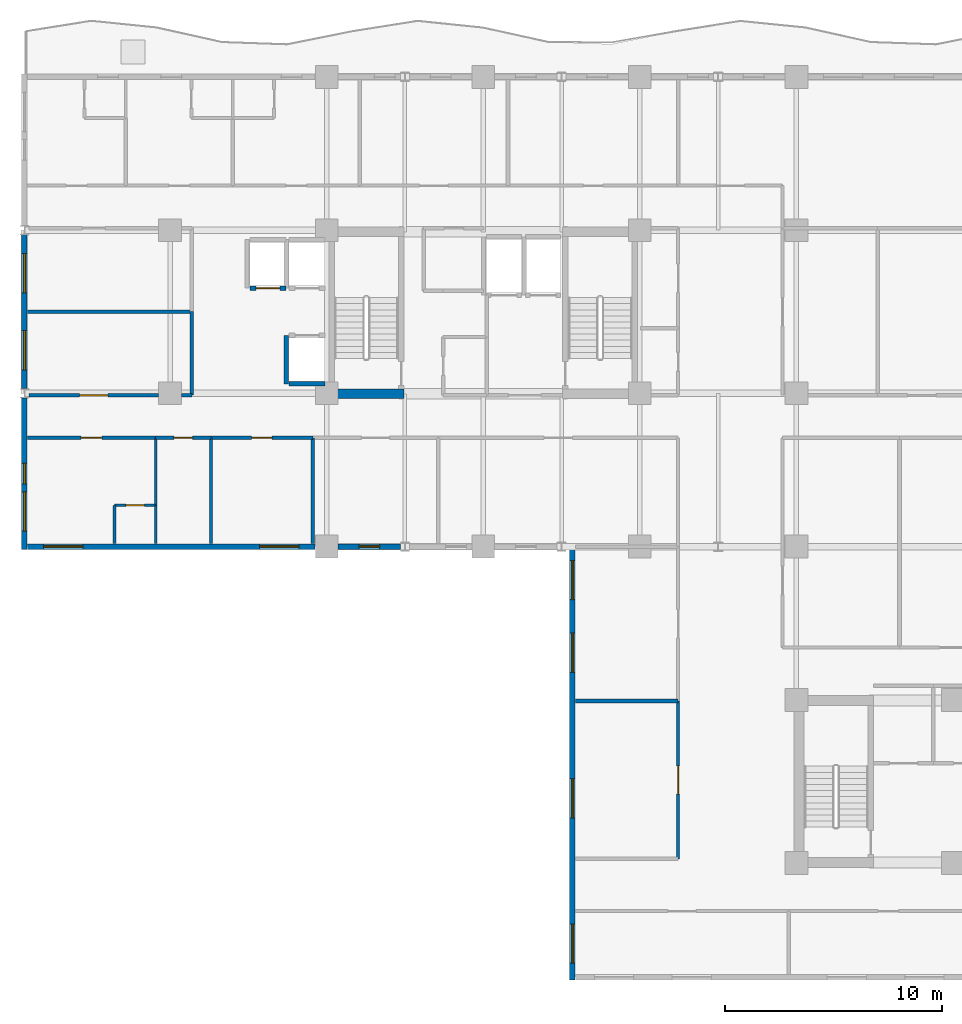
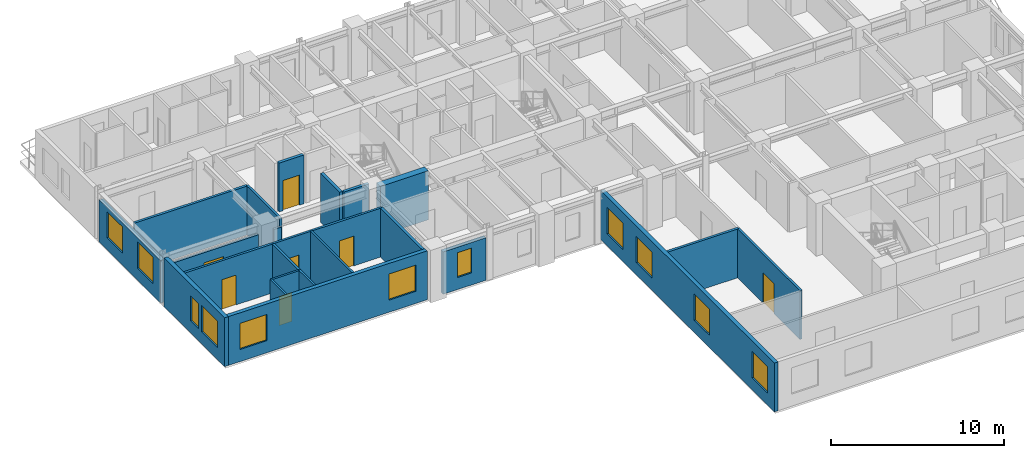
# One storey, part 4 of 13: 24 walls, 11 windows, 7 doors, 18 openings.
"""IFC4 building model written with IfcOpenShell, lengths in metres."""

from ifc_helpers import new_model, si_unit, direction, frame, frame_2d, origin, place, context, subcontext, project, spatial, rectangle, extrude, material, layer, layer_set, type_object, element, fill, save


model = new_model("IFC4")

# Units and contexts
model_context = context("Model", 3, precision=1e-05, world=origin(), true_north=direction((0.0, 1.0)))
body_context = subcontext(model_context, "Body", "Model", "MODEL_VIEW")
ifc_project = project(units=[si_unit("LENGTHUNIT", "METRE"), si_unit("AREAUNIT", "SQUARE_METRE"), si_unit("VOLUMEUNIT", "CUBIC_METRE"), si_unit("PLANEANGLEUNIT", "RADIAN"), si_unit("MASSUNIT", "GRAM", prefix="KILO")], contexts=[model_context])

# Site, building, storey
site_placement = place(None, origin())
site = spatial("IfcSite", under=ifc_project, at=site_placement, CompositionType="ELEMENT")
building_placement = place(site_placement, origin())
building = spatial("IfcBuilding", under=site, at=building_placement, Name="Kaliganga Portal Commons", CompositionType="ELEMENT")
storey_placement = place(building_placement, frame((0.0, 0.0, 162.39990234375)))
storey = spatial("IfcBuildingStorey", under=building, at=storey_placement, Name="L41", CompositionType="ELEMENT", Elevation=162.39990234375)

# Wall
ifc_material_1 = material(Name="Concrete C60/75", Category="concrete")
ifc_layer_1 = layer(ifc_material_1, 0.449951171875)
ifc_layer_set_1 = layer_set([ifc_layer_1], Name="Concrete C60/75")
wall_type_1 = type_object("IfcWallType", Name="WL-CORE-450", PredefinedType="SHEAR", material=ifc_layer_set_1)
wall_1_placement = place(storey_placement, frame((14.75, 28.625, 0.0), z_axis=(0.0, 0.0, 1.0), x_axis=(1.0, 0.0, 0.0)))
element("IfcWall", 1, at=wall_1_placement, inside=storey, type_object=wall_type_1, Name="Core A S-West Shear Wall L41", PredefinedType="SHEAR", context=body_context, shape_type="SweptSolid", body=[
    extrude(rectangle(XDim=3.199951171875, YDim=0.449951171875, at=frame_2d((1.60009765625, 0.0))), origin(), (0.0, 0.0, 1.0), 3.460205078125),
])

# Wall, openings, windows
ifc_material_2 = material(Name="Insulated Aluminium-Clad Spandrel Assembly", Category="aluminium")
ifc_layer_2 = layer(ifc_material_2, 0.260009765625)
ifc_layer_set_2 = layer_set([ifc_layer_2], Name="Insulated Aluminium-Clad Spandrel Assembly")
wall_type_2 = type_object("IfcWallType", Name="WL-EXT-SPAND-260", PredefinedType="STANDARD", material=ifc_layer_set_2)
wall_2_placement = place(storey_placement, frame((0.5, 28.85791015625, 0.0), z_axis=(0.0, 0.0, 1.0), x_axis=(0.0, 1.0, 0.0)))
wall_2 = element("IfcWall", 2, at=wall_2_placement, inside=storey, type_object=wall_type_2, Name="Exterior Envelope Wall L41 P1-E03-S2", PredefinedType="STANDARD", context=body_context, shape_type="SweptSolid", body=[
    extrude(rectangle(XDim=7.083984375, YDim=0.260009765625, at=frame_2d((3.5419921875, 0.0))), origin(), (0.0, 0.0, 1.0), 2.989990234375),
])
opening_1_placement = place(wall_2_placement, frame((0.87109375, 0.0, 0.85009765625)))
opening_1 = element("IfcOpeningElement", 3, at=opening_1_placement, cuts=wall_2, Name="Opening W-01", PredefinedType="OPENING", context=body_context, shape_type="SweptSolid", body=[
    extrude(rectangle(XDim=1.800048828125, YDim=1.85009765625, at=frame_2d((0.89990234375, 0.925048828125))), frame((0.0, 0.14013671875, 0.0), z_axis=(0.0, -1.0, 0.0), x_axis=(1.0, 0.0, 0.0)), (0.0, 0.0, 1.0), 0.280029296875),
])
opening_2_placement = place(wall_2_placement, frame((4.4130859375, 0.0, 0.85009765625)))
opening_2 = element("IfcOpeningElement", 4, at=opening_2_placement, cuts=wall_2, Name="Opening W-01", PredefinedType="OPENING", context=body_context, shape_type="SweptSolid", body=[
    extrude(rectangle(XDim=1.800048828125, YDim=1.85009765625, at=frame_2d((0.89990234375, 0.925048828125))), frame((0.0, 0.14013671875, 0.0), z_axis=(0.0, -1.0, 0.0), x_axis=(1.0, 0.0, 0.0)), (0.0, 0.0, 1.0), 0.280029296875),
])
ifc_material_3 = material(Name="Thermally Broken Aluminium and Low-E Double Glazing", Category="aluminium")
window_type_1 = type_object("IfcWindowType", Name="WIN-STD-1800", PartitioningType="DOUBLE_PANEL_VERTICAL", PredefinedType="WINDOW", material=ifc_material_3)
window_1_placement = place(opening_1_placement, origin())
window_1 = element("IfcWindow", 5, at=window_1_placement, inside=storey, type_object=window_type_1, Name="Facade Window L41-P1E03S2-00", OverallHeight=1.85009765625, OverallWidth=1.800048828125, PartitioningType="SINGLE_PANEL", PredefinedType="WINDOW", context=body_context, shape_type="SweptSolid", body=[
    extrude(rectangle(XDim=1.800048828125, YDim=1.85009765625, at=frame_2d((0.89990234375, 0.925048828125))), frame((0.0, 0.030029296875, 0.0), z_axis=(0.0, -1.0, 0.0), x_axis=(1.0, 0.0, 0.0)), (0.0, 0.0, 1.0), 0.06005859375),
])
fill(opening_1, window_1)
window_2_placement = place(opening_2_placement, origin())
window_2 = element("IfcWindow", 6, at=window_2_placement, inside=storey, type_object=window_type_1, Name="Facade Window L41-P1E03S2-01", OverallHeight=1.85009765625, OverallWidth=1.800048828125, PartitioningType="SINGLE_PANEL", PredefinedType="WINDOW", context=body_context, shape_type="SweptSolid", body=[
    extrude(rectangle(XDim=1.800048828125, YDim=1.85009765625, at=frame_2d((0.89990234375, 0.925048828125))), frame((0.0, 0.030029296875, 0.0), z_axis=(0.0, -1.0, 0.0), x_axis=(1.0, 0.0, 0.0)), (0.0, 0.0, 1.0), 0.06005859375),
])
fill(opening_2, window_2)

wall_3_placement = place(storey_placement, frame((0.5, 21.469970703125, 0.0), z_axis=(0.0, 0.0, 1.0), x_axis=(0.0, 1.0, 0.0)))
wall_3 = element("IfcWall", 7, at=wall_3_placement, inside=storey, type_object=wall_type_2, Name="Exterior Envelope Wall L41 P1-E03-S3", PredefinedType="STANDARD", context=body_context, shape_type="SweptSolid", body=[
    extrude(rectangle(XDim=6.971923828125, YDim=0.260009765625, at=frame_2d((3.48583984375, 0.0))), origin(), (0.0, 0.0, 1.0), 3.440185546875),
])
opening_3_placement = place(wall_3_placement, frame((0.843017578125, 0.0, 0.85009765625)))
opening_3 = element("IfcOpeningElement", 8, at=opening_3_placement, cuts=wall_3, Name="Opening W-01", PredefinedType="OPENING", context=body_context, shape_type="SweptSolid", body=[
    extrude(rectangle(XDim=1.800048828125, YDim=1.85009765625, at=frame_2d((0.89990234375, 0.925048828125))), frame((0.0, 0.14013671875, 0.0), z_axis=(0.0, -1.0, 0.0), x_axis=(1.0, 0.0, 0.0)), (0.0, 0.0, 1.0), 0.280029296875),
])
opening_4_placement = place(wall_3_placement, frame((3.010986328125, 0.0, 0.85009765625)))
opening_4 = element("IfcOpeningElement", 9, at=opening_4_placement, cuts=wall_3, Name="Opening W-04", PredefinedType="OPENING", context=body_context, shape_type="SweptSolid", body=[
    extrude(rectangle(XDim=0.949951171875, YDim=1.75, at=frame_2d((0.47509765625, 0.875))), frame((0.0, 0.14013671875, 0.0), z_axis=(0.0, -1.0, 0.0), x_axis=(1.0, 0.0, 0.0)), (0.0, 0.0, 1.0), 0.280029296875),
])
window_type_2 = type_object("IfcWindowType", Name="WIN-NARROW-950", PartitioningType="SINGLE_PANEL", PredefinedType="WINDOW", material=ifc_material_3)
window_3_placement = place(opening_4_placement, origin())
window_3 = element("IfcWindow", 10, at=window_3_placement, inside=storey, type_object=window_type_2, Name="Facade Window L41-P1E03S3-N0", OverallHeight=1.75, OverallWidth=0.949951171875, PartitioningType="SINGLE_PANEL", PredefinedType="WINDOW", context=body_context, shape_type="SweptSolid", body=[
    extrude(rectangle(XDim=0.949951171875, YDim=1.75, at=frame_2d((0.47509765625, 0.875))), frame((0.0, 0.030029296875, 0.0), z_axis=(0.0, -1.0, 0.0), x_axis=(1.0, 0.0, 0.0)), (0.0, 0.0, 1.0), 0.06005859375),
])
fill(opening_4, window_3)
window_4_placement = place(opening_3_placement, origin())
window_4 = element("IfcWindow", 11, at=window_4_placement, inside=storey, type_object=window_type_1, Name="Facade Window L41-P1E03S3-00", OverallHeight=1.85009765625, OverallWidth=1.800048828125, PartitioningType="SINGLE_PANEL", PredefinedType="WINDOW", context=body_context, shape_type="SweptSolid", body=[
    extrude(rectangle(XDim=1.800048828125, YDim=1.85009765625, at=frame_2d((0.89990234375, 0.925048828125))), frame((0.0, 0.030029296875, 0.0), z_axis=(0.0, -1.0, 0.0), x_axis=(1.0, 0.0, 0.0)), (0.0, 0.0, 1.0), 0.06005859375),
])
fill(opening_3, window_4)

wall_4_placement = place(storey_placement, frame((13.8740234375, 21.60009765625, 0.0), z_axis=(0.0, 0.0, 1.0), x_axis=(-1.0, 0.0, 0.0)))
wall_4 = element("IfcWall", 12, at=wall_4_placement, inside=storey, type_object=wall_type_2, Name="Exterior Envelope Wall L41 P1-E04-S1", PredefinedType="STANDARD", context=body_context, shape_type="SweptSolid", body=[
    extrude(rectangle(XDim=13.239013671875, YDim=0.260009765625, at=frame_2d((6.61962890625, 0.0))), origin(), (0.0, 0.0, 1.0), 3.440185546875),
])
opening_5_placement = place(wall_4_placement, frame((0.7548828125, 0.0, 0.85009765625)))
opening_5 = element("IfcOpeningElement", 13, at=opening_5_placement, cuts=wall_4, Name="Opening W-01", PredefinedType="OPENING", context=body_context, shape_type="SweptSolid", body=[
    extrude(rectangle(XDim=1.800048828125, YDim=1.85009765625, at=frame_2d((0.89990234375, 0.925048828125))), frame((0.0, 0.14013671875, 0.0), z_axis=(0.0, -1.0, 0.0), x_axis=(1.0, 0.0, 0.0)), (0.0, 0.0, 1.0), 0.280029296875),
])
opening_6_placement = place(wall_4_placement, frame((10.68408203125, 0.0, 0.85009765625)))
opening_6 = element("IfcOpeningElement", 14, at=opening_6_placement, cuts=wall_4, Name="Opening W-01", PredefinedType="OPENING", context=body_context, shape_type="SweptSolid", body=[
    extrude(rectangle(XDim=1.800048828125, YDim=1.85009765625, at=frame_2d((0.89990234375, 0.925048828125))), frame((0.0, 0.14013671875, 0.0), z_axis=(0.0, -1.0, 0.0), x_axis=(1.0, 0.0, 0.0)), (0.0, 0.0, 1.0), 0.280029296875),
])
window_5_placement = place(opening_5_placement, origin())
window_5 = element("IfcWindow", 15, at=window_5_placement, inside=storey, type_object=window_type_1, Name="Facade Window L41-P1E04S1-00", OverallHeight=1.85009765625, OverallWidth=1.800048828125, PartitioningType="SINGLE_PANEL", PredefinedType="WINDOW", context=body_context, shape_type="SweptSolid", body=[
    extrude(rectangle(XDim=1.800048828125, YDim=1.85009765625, at=frame_2d((0.89990234375, 0.925048828125))), frame((0.0, 0.030029296875, 0.0), z_axis=(0.0, -1.0, 0.0), x_axis=(1.0, 0.0, 0.0)), (0.0, 0.0, 1.0), 0.06005859375),
])
fill(opening_5, window_5)
window_6_placement = place(opening_6_placement, origin())
window_6 = element("IfcWindow", 16, at=window_6_placement, inside=storey, type_object=window_type_1, Name="Facade Window L41-P1E04S1-03", OverallHeight=1.85009765625, OverallWidth=1.800048828125, PartitioningType="SINGLE_PANEL", PredefinedType="WINDOW", context=body_context, shape_type="SweptSolid", body=[
    extrude(rectangle(XDim=1.800048828125, YDim=1.85009765625, at=frame_2d((0.89990234375, 0.925048828125))), frame((0.0, 0.030029296875, 0.0), z_axis=(0.0, -1.0, 0.0), x_axis=(1.0, 0.0, 0.0)), (0.0, 0.0, 1.0), 0.06005859375),
])
fill(opening_6, window_6)

# Wall, opening, window
wall_5_placement = place(storey_placement, frame((17.797119140625, 21.60009765625, 0.0), z_axis=(0.0, 0.0, 1.0), x_axis=(-1.0, 0.0, 0.0)))
wall_5 = element("IfcWall", 17, at=wall_5_placement, inside=storey, type_object=wall_type_2, Name="Exterior Envelope Wall L41 P1-E04-S2", PredefinedType="STANDARD", context=body_context, shape_type="SweptSolid", body=[
    extrude(rectangle(XDim=2.87109375, YDim=0.260009765625, at=frame_2d((1.435546875, 0.0))), origin(), (0.0, 0.0, 1.0), 2.989990234375),
])
opening_7_placement = place(wall_5_placement, frame((0.96044921875, 0.0, 0.85009765625)))
opening_7 = element("IfcOpeningElement", 18, at=opening_7_placement, cuts=wall_5, Name="Opening W-04", PredefinedType="OPENING", context=body_context, shape_type="SweptSolid", body=[
    extrude(rectangle(XDim=0.949951171875, YDim=1.75, at=frame_2d((0.47509765625, 0.875))), frame((0.0, 0.14013671875, 0.0), z_axis=(0.0, -1.0, 0.0), x_axis=(1.0, 0.0, 0.0)), (0.0, 0.0, 1.0), 0.280029296875),
])
window_7_placement = place(opening_7_placement, origin())
window_7 = element("IfcWindow", 19, at=window_7_placement, inside=storey, type_object=window_type_2, Name="Facade Window L41-P1E04S2-00", OverallHeight=1.75, OverallWidth=0.949951171875, PartitioningType="SINGLE_PANEL", PredefinedType="WINDOW", context=body_context, shape_type="SweptSolid", body=[
    extrude(rectangle(XDim=0.949951171875, YDim=1.75, at=frame_2d((0.47509765625, 0.875))), frame((0.0, 0.030029296875, 0.0), z_axis=(0.0, -1.0, 0.0), x_axis=(1.0, 0.0, 0.0)), (0.0, 0.0, 1.0), 0.06005859375),
])
fill(opening_7, window_7)

# Wall, openings, windows
wall_6_placement = place(storey_placement, frame((25.699951171875, 1.669921875, 0.0), z_axis=(0.0, 0.0, 1.0), x_axis=(0.0, 1.0, 0.0)))
wall_6 = element("IfcWall", 20, at=wall_6_placement, inside=storey, type_object=wall_type_2, Name="Exterior Envelope Wall L41 P1-E05-S1", PredefinedType="STANDARD", context=body_context, shape_type="SweptSolid", body=[
    extrude(rectangle(XDim=20.06005859375, YDim=0.260009765625, at=frame_2d((10.030029296875, 0.0))), origin(), (0.0, 0.0, 1.0), 3.440185546875),
])
opening_8_placement = place(wall_6_placement, frame((0.771728515625, 0.0, 0.85009765625)))
opening_8 = element("IfcOpeningElement", 21, at=opening_8_placement, cuts=wall_6, Name="Opening W-01", PredefinedType="OPENING", context=body_context, shape_type="SweptSolid", body=[
    extrude(rectangle(XDim=1.800048828125, YDim=1.85009765625, at=frame_2d((0.89990234375, 0.925048828125))), frame((0.0, 0.14013671875, 0.0), z_axis=(0.0, -1.0, 0.0), x_axis=(1.0, 0.0, 0.0)), (0.0, 0.0, 1.0), 0.280029296875),
])
opening_9_placement = place(wall_6_placement, frame((7.458251953125, 0.0, 0.85009765625)))
opening_9 = element("IfcOpeningElement", 22, at=opening_9_placement, cuts=wall_6, Name="Opening W-01", PredefinedType="OPENING", context=body_context, shape_type="SweptSolid", body=[
    extrude(rectangle(XDim=1.800048828125, YDim=1.85009765625, at=frame_2d((0.89990234375, 0.925048828125))), frame((0.0, 0.14013671875, 0.0), z_axis=(0.0, -1.0, 0.0), x_axis=(1.0, 0.0, 0.0)), (0.0, 0.0, 1.0), 0.280029296875),
])
opening_10_placement = place(wall_6_placement, frame((14.14501953125, 0.0, 0.85009765625)))
opening_10 = element("IfcOpeningElement", 23, at=opening_10_placement, cuts=wall_6, Name="Opening W-01", PredefinedType="OPENING", context=body_context, shape_type="SweptSolid", body=[
    extrude(rectangle(XDim=1.800048828125, YDim=1.85009765625, at=frame_2d((0.89990234375, 0.925048828125))), frame((0.0, 0.14013671875, 0.0), z_axis=(0.0, -1.0, 0.0), x_axis=(1.0, 0.0, 0.0)), (0.0, 0.0, 1.0), 0.280029296875),
])
opening_11_placement = place(wall_6_placement, frame((17.48828125, 0.0, 0.85009765625)))
opening_11 = element("IfcOpeningElement", 24, at=opening_11_placement, cuts=wall_6, Name="Opening W-01", PredefinedType="OPENING", context=body_context, shape_type="SweptSolid", body=[
    extrude(rectangle(XDim=1.800048828125, YDim=1.85009765625, at=frame_2d((0.89990234375, 0.925048828125))), frame((0.0, 0.14013671875, 0.0), z_axis=(0.0, -1.0, 0.0), x_axis=(1.0, 0.0, 0.0)), (0.0, 0.0, 1.0), 0.280029296875),
])
window_8_placement = place(opening_8_placement, origin())
window_8 = element("IfcWindow", 25, at=window_8_placement, inside=storey, type_object=window_type_1, Name="Facade Window L41-P1E05S1-00", OverallHeight=1.85009765625, OverallWidth=1.800048828125, PartitioningType="SINGLE_PANEL", PredefinedType="WINDOW", context=body_context, shape_type="SweptSolid", body=[
    extrude(rectangle(XDim=1.800048828125, YDim=1.85009765625, at=frame_2d((0.89990234375, 0.925048828125))), frame((0.0, 0.030029296875, 0.0), z_axis=(0.0, -1.0, 0.0), x_axis=(1.0, 0.0, 0.0)), (0.0, 0.0, 1.0), 0.06005859375),
])
fill(opening_8, window_8)
window_9_placement = place(opening_9_placement, origin())
window_9 = element("IfcWindow", 26, at=window_9_placement, inside=storey, type_object=window_type_1, Name="Facade Window L41-P1E05S1-02", OverallHeight=1.85009765625, OverallWidth=1.800048828125, PartitioningType="SINGLE_PANEL", PredefinedType="WINDOW", context=body_context, shape_type="SweptSolid", body=[
    extrude(rectangle(XDim=1.800048828125, YDim=1.85009765625, at=frame_2d((0.89990234375, 0.925048828125))), frame((0.0, 0.030029296875, 0.0), z_axis=(0.0, -1.0, 0.0), x_axis=(1.0, 0.0, 0.0)), (0.0, 0.0, 1.0), 0.06005859375),
])
fill(opening_9, window_9)
window_10_placement = place(opening_10_placement, origin())
window_10 = element("IfcWindow", 27, at=window_10_placement, inside=storey, type_object=window_type_1, Name="Facade Window L41-P1E05S1-04", OverallHeight=1.85009765625, OverallWidth=1.800048828125, PartitioningType="SINGLE_PANEL", PredefinedType="WINDOW", context=body_context, shape_type="SweptSolid", body=[
    extrude(rectangle(XDim=1.800048828125, YDim=1.85009765625, at=frame_2d((0.89990234375, 0.925048828125))), frame((0.0, 0.030029296875, 0.0), z_axis=(0.0, -1.0, 0.0), x_axis=(1.0, 0.0, 0.0)), (0.0, 0.0, 1.0), 0.06005859375),
])
fill(opening_10, window_10)
window_11_placement = place(opening_11_placement, origin())
window_11 = element("IfcWindow", 28, at=window_11_placement, inside=storey, type_object=window_type_1, Name="Facade Window L41-P1E05S1-05", OverallHeight=1.85009765625, OverallWidth=1.800048828125, PartitioningType="SINGLE_PANEL", PredefinedType="WINDOW", context=body_context, shape_type="SweptSolid", body=[
    extrude(rectangle(XDim=1.800048828125, YDim=1.85009765625, at=frame_2d((0.89990234375, 0.925048828125))), frame((0.0, 0.030029296875, 0.0), z_axis=(0.0, -1.0, 0.0), x_axis=(1.0, 0.0, 0.0)), (0.0, 0.0, 1.0), 0.06005859375),
])
fill(opening_11, window_11)

# Wall, opening, door
ifc_material_4 = material(Name="Fire-Rated Gypsum Board on Steel Stud", Category="steel")
ifc_layer_3 = layer(ifc_material_4, 0.14990234375)
ifc_layer_set_3 = layer_set([ifc_layer_3], Name="Fire-Rated Gypsum Board on Steel Stud")
wall_type_3 = type_object("IfcWallType", Name="WL-PART-CORR-150", PredefinedType="PARTITIONING", material=ifc_layer_set_3)
wall_7_placement = place(storey_placement, frame((0.701904296875, 28.56005859375, 0.0), z_axis=(0.0, 0.0, 1.0), x_axis=(1.0, 0.0, 0.0)))
wall_7 = element("IfcWall", 29, at=wall_7_placement, inside=storey, type_object=wall_type_3, Name="Interior Partition L41-018", PredefinedType="PARTITIONING", context=body_context, shape_type="SweptSolid", body=[
    extrude(rectangle(XDim=5.97314453125, YDim=0.14990234375, at=frame_2d((2.986572265625, 0.0))), origin(), (0.0, 0.0, 1.0), 2.840087890625),
])
opening_12_placement = place(wall_7_placement, frame((2.33642578125, 0.0, 0.0)))
opening_12 = element("IfcOpeningElement", 30, at=opening_12_placement, cuts=wall_7, Name="Opening RD-03", PredefinedType="OPENING", context=body_context, shape_type="SweptSolid", body=[
    extrude(rectangle(XDim=1.300048828125, YDim=2.1201171875, at=frame_2d((0.64990234375, 1.06005859375))), frame((0.0, 0.0849609375, 0.0), z_axis=(0.0, -1.0, 0.0), x_axis=(1.0, 0.0, 0.0)), (0.0, 0.0, 1.0), 0.169921875),
])
ifc_material_5 = material(Name="Glazed Timber Seminar Vision Door", Category="wood")
door_type_1 = type_object("IfcDoorType", Name="DR-STUDY-1300", OperationType="DOUBLE_DOOR_SINGLE_SWING", PredefinedType="DOOR", material=ifc_material_5)
door_1_placement = place(opening_12_placement, origin())
door_1 = element("IfcDoor", 31, at=door_1_placement, inside=storey, type_object=door_type_1, Name="Interior Door L41-AW01", OperationType="DOUBLE_DOOR_SINGLE_SWING", OverallHeight=2.1201171875, OverallWidth=1.300048828125, PredefinedType="DOOR", context=body_context, shape_type="SweptSolid", body=[
    extrude(rectangle(XDim=1.300048828125, YDim=2.1201171875, at=frame_2d((0.64990234375, 1.06005859375))), frame((0.0, 0.02490234375, 0.0), z_axis=(0.0, -1.0, 0.0), x_axis=(1.0, 0.0, 0.0)), (0.0, 0.0, 1.0), 0.050048828125),
])
fill(opening_12, door_1)

# Wall
wall_8_placement = place(storey_placement, frame((7.72509765625, 28.56005859375, 0.0), z_axis=(0.0, 0.0, 1.0), x_axis=(1.0, 0.0, 0.0)))
element("IfcWall", 32, at=wall_8_placement, inside=storey, type_object=wall_type_3, Name="Interior Partition L41-019", PredefinedType="PARTITIONING", context=body_context, shape_type="SweptSolid", body=[
    extrude(rectangle(XDim=0.474853515625, YDim=0.14990234375, at=frame_2d((0.2373046875, 0.0))), origin(), (0.0, 0.0, 1.0), 2.840087890625),
])

# Wall, opening, door
wall_9_placement = place(storey_placement, frame((30.56005859375, 7.239990234375, 0.0), z_axis=(0.0, 0.0, 1.0), x_axis=(0.0, 1.0, 0.0)))
wall_9 = element("IfcWall", 33, at=wall_9_placement, inside=storey, type_object=wall_type_3, Name="Interior Partition L41-023", PredefinedType="PARTITIONING", context=body_context, shape_type="SweptSolid", body=[
    extrude(rectangle(XDim=7.260009765625, YDim=0.14990234375, at=frame_2d((3.6298828125, 0.0))), origin(), (0.0, 0.0, 1.0), 3.440185546875),
])
opening_13_placement = place(wall_9_placement, frame((2.97998046875, 0.0, 0.0)))
opening_13 = element("IfcOpeningElement", 34, at=opening_13_placement, cuts=wall_9, Name="Opening RD-03", PredefinedType="OPENING", context=body_context, shape_type="SweptSolid", body=[
    extrude(rectangle(XDim=1.300048828125, YDim=2.1201171875, at=frame_2d((0.64990234375, 1.06005859375))), frame((0.0, 0.0849609375, 0.0), z_axis=(0.0, -1.0, 0.0), x_axis=(1.0, 0.0, 0.0)), (0.0, 0.0, 1.0), 0.169921875),
])
door_2_placement = place(opening_13_placement, origin())
door_2 = element("IfcDoor", 35, at=door_2_placement, inside=storey, type_object=door_type_1, Name="Interior Door L41-KW01", OperationType="DOUBLE_DOOR_SINGLE_SWING", OverallHeight=2.1201171875, OverallWidth=1.300048828125, PredefinedType="DOOR", context=body_context, shape_type="SweptSolid", body=[
    extrude(rectangle(XDim=1.300048828125, YDim=2.1201171875, at=frame_2d((0.64990234375, 1.06005859375))), frame((0.0, 0.02490234375, 0.0), z_axis=(0.0, -1.0, 0.0), x_axis=(1.0, 0.0, 0.0)), (0.0, 0.0, 1.0), 0.050048828125),
])
fill(opening_13, door_2)

wall_10_placement = place(storey_placement, frame((0.632080078125, 26.60009765625, 0.0), z_axis=(0.0, 0.0, 1.0), x_axis=(1.0, 0.0, 0.0)))
wall_10 = element("IfcWall", 36, at=wall_10_placement, inside=storey, type_object=wall_type_3, Name="Interior Partition L41-028", PredefinedType="PARTITIONING", context=body_context, shape_type="SweptSolid", body=[
    extrude(rectangle(XDim=5.907958984375, YDim=0.14990234375, at=frame_2d((2.9541015625, 0.0))), origin(), (0.0, 0.0, 1.0), 3.440185546875),
])
opening_14_placement = place(wall_10_placement, frame((2.47900390625, 0.0, 0.0)))
opening_14 = element("IfcOpeningElement", 37, at=opening_14_placement, cuts=wall_10, Name="Opening UD-01", PredefinedType="OPENING", context=body_context, shape_type="SweptSolid", body=[
    extrude(rectangle(XDim=0.949951171875, YDim=2.10009765625, at=frame_2d((0.47509765625, 1.050048828125))), frame((0.0, 0.0849609375, 0.0), z_axis=(0.0, -1.0, 0.0), x_axis=(1.0, 0.0, 0.0)), (0.0, 0.0, 1.0), 0.169921875),
])
ifc_material_6 = material(Name="Solid-Core Timber Acoustic Fire Door", Category="wood")
door_type_2 = type_object("IfcDoorType", Name="DR-UNIT-950", OperationType="NOTDEFINED", PredefinedType="DOOR", material=ifc_material_6)
door_3_placement = place(opening_14_placement, origin())
door_3 = element("IfcDoor", 38, at=door_3_placement, inside=storey, type_object=door_type_2, Name="Interior Door L41-AS01", OperationType="SINGLE_SWING_LEFT", OverallHeight=2.10009765625, OverallWidth=0.949951171875, PredefinedType="DOOR", context=body_context, shape_type="SweptSolid", body=[
    extrude(rectangle(XDim=0.949951171875, YDim=2.10009765625, at=frame_2d((0.47509765625, 1.050048828125))), frame((0.0, 0.02490234375, 0.0), z_axis=(0.0, -1.0, 0.0), x_axis=(1.0, 0.0, 0.0)), (0.0, 0.0, 1.0), 0.050048828125),
])
fill(opening_14, door_3)

wall_11_placement = place(storey_placement, frame((9.080078125, 26.60009765625, 0.0), z_axis=(0.0, 0.0, 1.0), x_axis=(1.0, 0.0, 0.0)))
wall_11 = element("IfcWall", 39, at=wall_11_placement, inside=storey, type_object=wall_type_3, Name="Interior Partition L41-041", PredefinedType="PARTITIONING", context=body_context, shape_type="SweptSolid", body=[
    extrude(rectangle(XDim=4.679931640625, YDim=0.14990234375, at=frame_2d((2.33984375, 0.0))), origin(), (0.0, 0.0, 1.0), 3.440185546875),
])
opening_15_placement = place(wall_11_placement, frame((1.864990234375, 0.0, 0.0)))
opening_15 = element("IfcOpeningElement", 40, at=opening_15_placement, cuts=wall_11, Name="Opening UD-01", PredefinedType="OPENING", context=body_context, shape_type="SweptSolid", body=[
    extrude(rectangle(XDim=0.949951171875, YDim=2.10009765625, at=frame_2d((0.47509765625, 1.050048828125))), frame((0.0, 0.0849609375, 0.0), z_axis=(0.0, -1.0, 0.0), x_axis=(1.0, 0.0, 0.0)), (0.0, 0.0, 1.0), 0.169921875),
])
door_4_placement = place(opening_15_placement, origin())
door_4 = element("IfcDoor", 41, at=door_4_placement, inside=storey, type_object=door_type_2, Name="Interior Door L41-AS03", OperationType="SINGLE_SWING_RIGHT", OverallHeight=2.10009765625, OverallWidth=0.949951171875, PredefinedType="DOOR", context=body_context, shape_type="SweptSolid", body=[
    extrude(rectangle(XDim=0.949951171875, YDim=2.10009765625, at=frame_2d((0.47509765625, 1.050048828125))), frame((0.0, 0.02490234375, 0.0), z_axis=(0.0, -1.0, 0.0), x_axis=(1.0, 0.0, 0.0)), (0.0, 0.0, 1.0), 0.050048828125),
])
fill(opening_15, door_4)

# Wall
wall_12_placement = place(storey_placement, frame((8.199951171875, 28.56005859375, 0.0), z_axis=(0.0, 0.0, 1.0), x_axis=(0.0, 1.0, 0.0)))
element("IfcWall", 42, at=wall_12_placement, inside=storey, type_object=wall_type_3, Name="Interior Partition L41-047", PredefinedType="PARTITIONING", context=body_context, shape_type="SweptSolid", body=[
    extrude(rectangle(XDim=3.83984375, YDim=0.14990234375, at=frame_2d((1.919921875, 0.0))), origin(), (0.0, 0.0, 1.0), 3.440185546875),
])

# Wall, opening, door
wall_13_placement = place(storey_placement, frame((6.5400390625, 26.60009765625, 0.0), z_axis=(0.0, 0.0, 1.0), x_axis=(1.0, 0.0, 0.0)))
wall_13 = element("IfcWall", 43, at=wall_13_placement, inside=storey, type_object=wall_type_3, Name="Interior Partition L41-060", PredefinedType="PARTITIONING", context=body_context, shape_type="SweptSolid", body=[
    extrude(rectangle(XDim=2.5400390625, YDim=0.14990234375, at=frame_2d((1.27001953125, 0.0))), origin(), (0.0, 0.0, 1.0), 3.440185546875),
])
opening_16_placement = place(wall_13_placement, frame((0.844970703125, 0.0, 0.0)))
opening_16 = element("IfcOpeningElement", 44, at=opening_16_placement, cuts=wall_13, Name="Opening WD-01", PredefinedType="OPENING", context=body_context, shape_type="SweptSolid", body=[
    extrude(rectangle(XDim=0.85009765625, YDim=2.0400390625, at=frame_2d((0.425048828125, 1.02001953125))), frame((0.0, 0.0849609375, 0.0), z_axis=(0.0, -1.0, 0.0), x_axis=(1.0, 0.0, 0.0)), (0.0, 0.0, 1.0), 0.169921875),
])
ifc_material_7 = material(Name="Moisture-Resistant Laminate Timber Door", Category="wood")
door_type_3 = type_object("IfcDoorType", Name="DR-WET-850", OperationType="NOTDEFINED", PredefinedType="DOOR", material=ifc_material_7)
door_5_placement = place(opening_16_placement, origin())
door_5 = element("IfcDoor", 45, at=door_5_placement, inside=storey, type_object=door_type_3, Name="Interior Door L41-AS02", OperationType="SINGLE_SWING_LEFT", OverallHeight=2.0400390625, OverallWidth=0.85009765625, PredefinedType="DOOR", context=body_context, shape_type="SweptSolid", body=[
    extrude(rectangle(XDim=0.85009765625, YDim=2.0400390625, at=frame_2d((0.425048828125, 1.02001953125))), frame((0.0, 0.02490234375, 0.0), z_axis=(0.0, -1.0, 0.0), x_axis=(1.0, 0.0, 0.0)), (0.0, 0.0, 1.0), 0.050048828125),
])
fill(opening_16, door_5)

# Walls
ifc_material_8 = material(Name="Twin-Stud Acoustic Gypsum Partition", Category="gypsum")
ifc_layer_4 = layer(ifc_material_8, 0.1650390625)
ifc_layer_set_4 = layer_set([ifc_layer_4], Name="Twin-Stud Acoustic Gypsum Partition")
wall_type_4 = type_object("IfcWallType", Name="WL-PART-UNIT-165", PredefinedType="PARTITIONING", material=ifc_layer_set_4)
wall_14_placement = place(storey_placement, frame((0.632080078125, 32.39990234375, 0.0), z_axis=(0.0, 0.0, 1.0), x_axis=(1.0, 0.0, 0.0)))
element("IfcWall", 46, at=wall_14_placement, inside=storey, type_object=wall_type_4, Name="Interior Partition L41-071", PredefinedType="PARTITIONING", context=body_context, shape_type="SweptSolid", body=[
    extrude(rectangle(XDim=7.56787109375, YDim=0.1650390625, at=frame_2d((3.783935546875, 0.0))), origin(), (0.0, 0.0, 1.0), 3.440185546875),
])
wall_15_placement = place(storey_placement, frame((13.760009765625, 21.73193359375, 0.0), z_axis=(0.0, 0.0, 1.0), x_axis=(0.0, 1.0, 0.0)))
element("IfcWall", 47, at=wall_15_placement, inside=storey, type_object=wall_type_4, Name="Interior Partition L41-077", PredefinedType="PARTITIONING", context=body_context, shape_type="SweptSolid", body=[
    extrude(rectangle(XDim=4.8681640625, YDim=0.1650390625, at=frame_2d((2.43408203125, 0.0))), origin(), (0.0, 0.0, 1.0), 3.440185546875),
])
wall_16_placement = place(storey_placement, frame((25.83203125, 14.5, 0.0), z_axis=(0.0, 0.0, 1.0), x_axis=(1.0, 0.0, 0.0)))
element("IfcWall", 48, at=wall_16_placement, inside=storey, type_object=wall_type_4, Name="Interior Partition L41-082", PredefinedType="PARTITIONING", context=body_context, shape_type="SweptSolid", body=[
    extrude(rectangle(XDim=4.72802734375, YDim=0.1650390625, at=frame_2d((2.364013671875, 0.0))), origin(), (0.0, 0.0, 1.0), 3.440185546875),
])

# Wall, opening, door
ifc_material_9 = material(Name="Cement-Board Wet-Room Partition", Category="gypsum")
ifc_layer_5 = layer(ifc_material_9, 0.135009765625)
ifc_layer_set_5 = layer_set([ifc_layer_5], Name="Cement-Board Wet-Room Partition")
wall_type_5 = type_object("IfcWallType", Name="WL-PART-WET-135", PredefinedType="PARTITIONING", material=ifc_layer_set_5)
wall_17_placement = place(storey_placement, frame((4.639892578125, 23.5, 0.0), z_axis=(0.0, 0.0, 1.0), x_axis=(1.0, 0.0, 0.0)))
wall_17 = element("IfcWall", 49, at=wall_17_placement, inside=storey, type_object=wall_type_5, Name="Interior Partition L41-006", PredefinedType="PARTITIONING", context=body_context, shape_type="SweptSolid", body=[
    extrude(rectangle(XDim=1.900146484375, YDim=0.135009765625, at=frame_2d((0.9501953125, 0.0))), origin(), (0.0, 0.0, 1.0), 3.440185546875),
])
opening_17_placement = place(wall_17_placement, frame((0.52490234375, 0.0, 0.0)))
opening_17 = element("IfcOpeningElement", 50, at=opening_17_placement, cuts=wall_17, Name="Opening WD-01", PredefinedType="OPENING", context=body_context, shape_type="SweptSolid", body=[
    extrude(rectangle(XDim=0.85009765625, YDim=2.0400390625, at=frame_2d((0.425048828125, 1.02001953125))), frame((0.0, 0.07763671875, 0.0), z_axis=(0.0, -1.0, 0.0), x_axis=(1.0, 0.0, 0.0)), (0.0, 0.0, 1.0), 0.155029296875),
])
door_6_placement = place(opening_17_placement, origin())
door_6 = element("IfcDoor", 51, at=door_6_placement, inside=storey, type_object=door_type_3, Name="Interior Door L41-AS01E", OperationType="SINGLE_SWING_LEFT", OverallHeight=2.0400390625, OverallWidth=0.85009765625, PredefinedType="DOOR", context=body_context, shape_type="SweptSolid", body=[
    extrude(rectangle(XDim=0.85009765625, YDim=2.0400390625, at=frame_2d((0.425048828125, 1.02001953125))), frame((0.0, 0.02490234375, 0.0), z_axis=(0.0, -1.0, 0.0), x_axis=(1.0, 0.0, 0.0)), (0.0, 0.0, 1.0), 0.050048828125),
])
fill(opening_17, door_6)

# Walls
for number, where, z_axis, x_axis, name in (
    (52, (4.639892578125, 21.73193359375, 0.0), (0.0, 0.0, 1.0), (0.0, 1.0, 0.0), "Interior Partition L41-010"),
    (53, (6.5400390625, 21.73193359375, 0.0), (0.0, 0.0, 1.0), (0.0, 1.0, 0.0), "Interior Partition L41-011"),
):
    element("IfcWall", number, at=place(storey_placement, frame(where, z_axis=z_axis, x_axis=x_axis)), inside=storey, type_object=wall_type_5, Name=name, PredefinedType="PARTITIONING", context=body_context, shape_type="SweptSolid", body=[
        extrude(rectangle(XDim=1.76806640625, YDim=0.135009765625, at=frame_2d((0.884033203125, 0.0))), origin(), (0.0, 0.0, 1.0), 3.440185546875),
    ])
wall_18_placement = place(storey_placement, frame((9.080078125, 21.73193359375, 0.0), z_axis=(0.0, 0.0, 1.0), x_axis=(0.0, 1.0, 0.0)))
element("IfcWall", 54, at=wall_18_placement, inside=storey, type_object=wall_type_5, Name="Interior Partition L41-076", PredefinedType="PARTITIONING", context=body_context, shape_type="SweptSolid", body=[
    extrude(rectangle(XDim=4.8681640625, YDim=0.135009765625, at=frame_2d((2.43408203125, 0.0))), origin(), (0.0, 0.0, 1.0), 3.440185546875),
])
wall_19_placement = place(storey_placement, frame((6.5400390625, 23.5, 0.0), z_axis=(0.0, 0.0, 1.0), x_axis=(0.0, 1.0, 0.0)))
element("IfcWall", 55, at=wall_19_placement, inside=storey, type_object=wall_type_5, Name="Interior Partition L41-089", PredefinedType="PARTITIONING", context=body_context, shape_type="SweptSolid", body=[
    extrude(rectangle(XDim=3.10009765625, YDim=0.135009765625, at=frame_2d((1.550048828125, 0.0))), origin(), (0.0, 0.0, 1.0), 3.440185546875),
])
ifc_material_10 = material(Name="Fire-Rated Shaftwall Masonry Assembly", Category="masonry")
ifc_layer_6 = layer(ifc_material_10, 0.199951171875)
ifc_layer_set_6 = layer_set([ifc_layer_6], Name="Fire-Rated Shaftwall Masonry Assembly")
wall_type_6 = type_object("IfcWallType", Name="WL-SHAFT-200", PredefinedType="PARTITIONING", material=ifc_layer_set_6)
wall_20_placement = place(storey_placement, frame((12.675048828125, 29.0849609375, 0.0), z_axis=(0.0, 0.0, 1.0), x_axis=(1.0, 0.0, 0.0)))
element("IfcWall", 56, at=wall_20_placement, inside=storey, type_object=wall_type_6, Name="Lift PL-A4 Hoistway Shaft Wall L41-S", PredefinedType="PARTITIONING", context=body_context, shape_type="SweptSolid", body=[
    extrude(rectangle(XDim=1.64990234375, YDim=0.199951171875, at=frame_2d((0.824951171875, 0.0))), origin(), (0.0, 0.0, 1.0), 3.440185546875),
])
wall_21_placement = place(storey_placement, frame((12.534912109375, 29.0849609375, 0.0), z_axis=(0.0, 0.0, 1.0), x_axis=(0.0, 1.0, 0.0)))
element("IfcWall", 57, at=wall_21_placement, inside=storey, type_object=wall_type_6, Name="Lift PL-A4 Hoistway Shaft Wall L41-W", PredefinedType="PARTITIONING", context=body_context, shape_type="SweptSolid", body=[
    extrude(rectangle(XDim=2.22998046875, YDim=0.199951171875, at=frame_2d((1.114990234375, 0.0))), origin(), (0.0, 0.0, 1.0), 3.440185546875),
])

# Wall, opening, door
wall_22_placement = place(storey_placement, frame((10.875, 33.485107421875, 0.0), z_axis=(0.0, 0.0, 1.0), x_axis=(1.0, 0.0, 0.0)))
wall_22 = element("IfcWall", 58, at=wall_22_placement, inside=storey, type_object=wall_type_6, Name="Lift PL-OBS Hoistway Shaft Wall L41-S", PredefinedType="PARTITIONING", context=body_context, shape_type="SweptSolid", body=[
    extrude(rectangle(XDim=1.64990234375, YDim=0.199951171875, at=frame_2d((0.824951171875, 0.0))), origin(), (0.0, 0.0, 1.0), 3.440185546875),
])
opening_18_placement = place(wall_22_placement, frame((0.27490234375, 0.0, 0.0)))
opening_18 = element("IfcOpeningElement", 59, at=opening_18_placement, cuts=wall_22, Name="Opening LD-01", PredefinedType="OPENING", context=body_context, shape_type="SweptSolid", body=[
    extrude(rectangle(XDim=1.10009765625, YDim=2.1201171875, at=frame_2d((0.550048828125, 1.06005859375))), frame((0.0, 0.10986328125, 0.0), z_axis=(0.0, -1.0, 0.0), x_axis=(1.0, 0.0, 0.0)), (0.0, 0.0, 1.0), 0.219970703125),
])
ifc_material_11 = material(Name="Brushed Stainless Steel 316 Lift Landing Door", Category="steel")
door_type_4 = type_object("IfcDoorType", Name="DR-LIFT-1100", OperationType="SLIDING_TO_LEFT", PredefinedType="DOOR", material=ifc_material_11)
door_7_placement = place(opening_18_placement, origin())
door_7 = element("IfcDoor", 60, at=door_7_placement, inside=storey, type_object=door_type_4, Name="Lift PL-OBS Sliding Landing Door L41", OperationType="SLIDING_TO_LEFT", OverallHeight=2.1201171875, OverallWidth=1.10009765625, PredefinedType="DOOR", context=body_context, shape_type="SweptSolid", body=[
    extrude(rectangle(XDim=1.10009765625, YDim=2.1201171875, at=frame_2d((0.550048828125, 1.06005859375))), frame((0.0, 0.02490234375, 0.0), z_axis=(0.0, -1.0, 0.0), x_axis=(1.0, 0.0, 0.0)), (0.0, 0.0, 1.0), 0.050048828125),
])
fill(opening_18, door_7)

save(model, "model.ifc")
